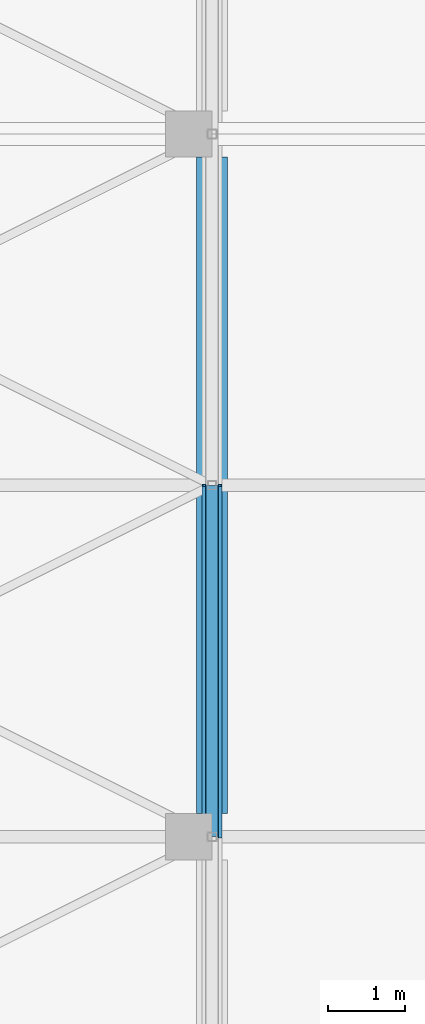
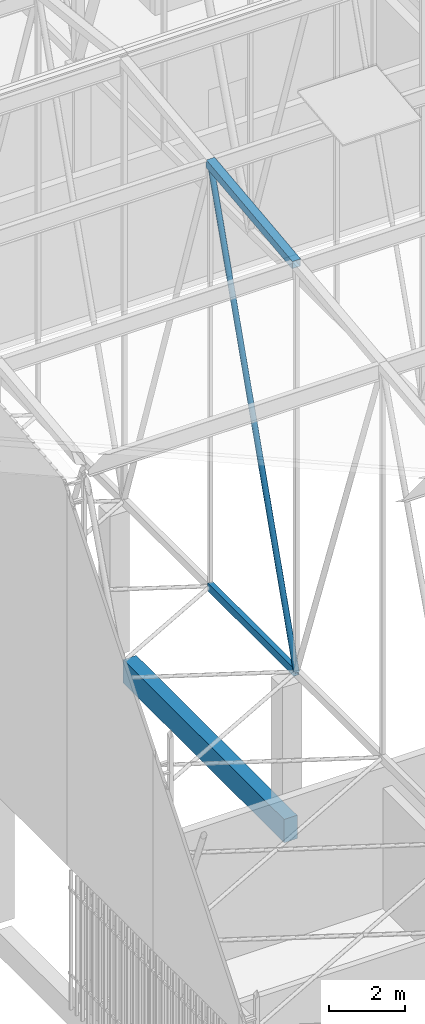
# One storey, part 69 of 500: 3 members, 1 beam.
"""IFC4 building model written with IfcOpenShell, lengths in metres."""

import ifcopenshell
import ifcopenshell.guid

model = None  # the IFC model being written
_history = None  # IfcOwnerHistory: only IFC2X3 demands one
_inside = {}  # id of a spatial element -> (the spatial element, [elements in it])
_under = {}  # id of a project, library or spatial element -> (it, [spatial elements below it])
_declared = {}  # id of a project -> (the project, [libraries it declares])
_typed = {}  # id of a type object -> (the type object, [elements of that type])
_made_of = {}  # id of a material, layer set ... -> (it, [elements and type objects made of it])


def new_model(schema):
    """Start an empty IFC model of exactly this schema.

    Asked for "IFC4X3", IfcOpenShell would pick the latest addendum, in which some entities
    have other attributes; the version numbers below select the first issue.
    IFC2X3 requires an IfcOwnerHistory on every rooted entity: one is made here for all.
    """
    global model, _history
    if schema == "IFC4X3":
        model = ifcopenshell.file(schema_version=(4, 3, 0, 0))
    else:
        model = ifcopenshell.file(schema=schema)
    _inside.clear()
    _under.clear()
    _declared.clear()
    _typed.clear()
    _made_of.clear()
    _history = None
    if model.schema == "IFC2X3":
        org = make("IfcOrganization", Name="unknown")
        user = make(
            "IfcPersonAndOrganization",
            ThePerson=make("IfcPerson", FamilyName="unknown"),
            TheOrganization=org,
        )
        app = make(
            "IfcApplication",
            ApplicationDeveloper=org,
            Version="unknown",
            ApplicationFullName="unknown",
            ApplicationIdentifier="unknown",
        )
        _history = make(
            "IfcOwnerHistory",
            OwningUser=user,
            OwningApplication=app,
            ChangeAction="ADDED",
            CreationDate=0,
        )
    return model


def make(cls, **values):
    """One entity of the class cls with the attributes given. An attribute that is None is left unset."""
    return model.create_entity(
        cls, **{name: value for name, value in values.items() if value is not None}
    )


def rooted(cls, **values):
    """An entity with a GlobalId (a new one), such as an element, a storey or a relation."""
    return make(cls, GlobalId=ifcopenshell.guid.new(), OwnerHistory=_history, **values)


def si_unit(unit_type, name, prefix=None):
    """IfcSIUnit, for example si_unit("LENGTHUNIT", "METRE", prefix="MILLI")."""
    return make("IfcSIUnit", UnitType=unit_type, Prefix=prefix, Name=name)


def assignment(units):
    """IfcUnitAssignment: the units of a project."""
    return None if units is None else make("IfcUnitAssignment", Units=units)


def point(xyz):
    """IfcCartesianPoint."""
    return None if xyz is None else make("IfcCartesianPoint", Coordinates=xyz)


def direction(xyz):
    """IfcDirection."""
    return None if xyz is None else make("IfcDirection", DirectionRatios=xyz)


def frame(location, z_axis=None, x_axis=None):
    """IfcAxis2Placement3D, a coordinate frame: its origin and axes. An axis left out is left unset."""
    return make(
        "IfcAxis2Placement3D",
        Location=point(location),
        Axis=direction(z_axis),
        RefDirection=direction(x_axis),
    )


def frame_2d(location, x_axis=None):
    """IfcAxis2Placement2D, a coordinate frame in the plane: its origin and x axis."""
    return make(
        "IfcAxis2Placement2D", Location=point(location), RefDirection=direction(x_axis)
    )


def origin():
    """The frame at (0, 0, 0) with its axes left unset."""
    return frame((0.0, 0.0, 0.0))


def origin_2d():
    """The frame at (0, 0) in the plane with its x axis left unset."""
    return frame_2d((0.0, 0.0))


def place(relative_to, where):
    """IfcLocalPlacement: puts the frame where relative to a parent placement (None: the world)."""
    return make(
        "IfcLocalPlacement", PlacementRelTo=relative_to, RelativePlacement=where
    )


def context(
    kind, dimensions, precision=None, world=None, true_north=None, identifier=None
):
    """IfcGeometricRepresentationContext, for example the 3D "Model" context."""
    return make(
        "IfcGeometricRepresentationContext",
        ContextIdentifier=identifier,
        ContextType=kind,
        CoordinateSpaceDimension=dimensions,
        Precision=precision,
        WorldCoordinateSystem=world,
        TrueNorth=true_north,
    )


def subcontext(parent, identifier, kind, view, scale=None):
    """IfcGeometricRepresentationSubContext, for example "Body" below "Model"."""
    return make(
        "IfcGeometricRepresentationSubContext",
        ContextIdentifier=identifier,
        ContextType=kind,
        ParentContext=parent,
        TargetScale=scale,
        TargetView=view,
    )


def project(units=None, contexts=None):
    """IfcProject with its units and contexts."""
    return rooted(
        "IfcProject",
        Name="project",
        RepresentationContexts=contexts,
        UnitsInContext=assignment(units),
    )


def spatial(cls, under=None, at=None, **own):
    """A site, building, storey or space (cls), placed at a placement, below another one or the project."""
    s = rooted(cls, ObjectPlacement=at, **own)
    if under is not None:
        _under.setdefault(under.id(), (under, []))[1].append(s)
    return s


def profile(cls, at=None, kind="AREA", **sizes):
    """A parametric profile (cls). Its sizes go by their IFC names, for example OverallWidth=200.0."""
    return make(cls, ProfileType=kind, Position=at, **sizes)


def rectangle(**sizes):
    """IfcRectangleProfileDef."""
    return profile("IfcRectangleProfileDef", **sizes)


def hollow_rectangle(**sizes):
    """IfcRectangleHollowProfileDef."""
    return profile("IfcRectangleHollowProfileDef", **sizes)


def hollow_circle(**sizes):
    """IfcCircleHollowProfileDef."""
    return profile("IfcCircleHollowProfileDef", **sizes)


def extrude(swept, where, along, depth):
    """IfcExtrudedAreaSolid: the profile swept, set in the frame where, extruded along a direction by depth."""
    return make(
        "IfcExtrudedAreaSolid",
        SweptArea=swept,
        Position=where,
        ExtrudedDirection=direction(along),
        Depth=depth,
    )


def shape(context_of_items, identifier, shape_type, items):
    """IfcShapeRepresentation: the items that make up one representation, for example the "Body"."""
    return make(
        "IfcShapeRepresentation",
        ContextOfItems=context_of_items,
        RepresentationIdentifier=identifier,
        RepresentationType=shape_type,
        Items=items,
    )


def material(Name=None, Category=None):
    """IfcMaterial."""
    return make("IfcMaterial", Name=Name, Category=Category)


def material_profile(
    of_material, cross_section, Name=None, Category=None, Priority=None
):
    """IfcMaterialProfile: a cross section and its material."""
    return make(
        "IfcMaterialProfile",
        Name=Name,
        Material=of_material,
        Profile=cross_section,
        Priority=Priority,
        Category=Category,
    )


def profile_set(profiles, Name=None, composite=None):
    """IfcMaterialProfileSet."""
    return make(
        "IfcMaterialProfileSet",
        Name=Name,
        MaterialProfiles=profiles,
        CompositeProfile=composite,
    )


def made_of(thing, what):
    """Note that an element or type object is made of a material, layer set ...; save() writes the relation."""
    if what is not None:
        _made_of.setdefault(what.id(), (what, []))[1].append(thing)
    return thing


def type_object(cls, material=None, **own):
    """A type object (cls), such as IfcWallType, which elements share."""
    return made_of(rooted(cls, **own), material)


def element(
    cls,
    number,
    at=None,
    inside=None,
    cuts=None,
    type_object=None,
    material=None,
    context=None,
    identifier="Body",
    shape_type=None,
    held_by="IfcProductDefinitionShape",
    body=None,
    shapes=None,
    **own,
):
    """One element of the class cls, such as IfcWall. Its Tag is "e" and its number.

    at: its placement. inside: the storey or other place that contains it. cuts: it is an
    opening in that element (IfcRelVoidsElement). A single representation is given by context,
    identifier, shape_type and body (its items); several are given by shapes. held_by: the class
    of the entity that holds the representations. save() writes the other relations.
    """
    e = rooted(cls, Tag="e%d" % number, ObjectPlacement=at, **own)
    if body is not None:
        shapes = [shape(context, identifier, shape_type, body)]
    if shapes is not None:
        e.Representation = make(held_by, Representations=shapes)
    if inside is not None:
        _inside.setdefault(inside.id(), (inside, []))[1].append(e)
    if cuts is not None:
        rooted(
            "IfcRelVoidsElement", RelatingBuildingElement=cuts, RelatedOpeningElement=e
        )
    if type_object is not None:
        _typed.setdefault(type_object.id(), (type_object, []))[1].append(e)
    return made_of(e, material)


def aggregate(whole, parts):
    """IfcRelAggregates: a whole, such as a stair, and the parts it consists of."""
    return rooted("IfcRelAggregates", RelatingObject=whole, RelatedObjects=parts)


def save(model, path):
    """Write the relations noted so far, then the file.

    IfcRelAggregates (storeys below a building ...), IfcRelContainedInSpatialStructure (elements
    in a storey), IfcRelDefinesByType, IfcRelAssociatesMaterial and IfcRelDeclares: one each for
    every whole, place, type object, material and project.
    """
    for whole, parts in _under.values():
        aggregate(whole, parts)
    for where, things in _inside.values():
        rooted(
            "IfcRelContainedInSpatialStructure",
            RelatedElements=things,
            RelatingStructure=where,
        )
    for kind, things in _typed.values():
        rooted("IfcRelDefinesByType", RelatedObjects=things, RelatingType=kind)
    for what, things in _made_of.values():
        rooted("IfcRelAssociatesMaterial", RelatedObjects=things, RelatingMaterial=what)
    for by, libraries in _declared.values():
        rooted("IfcRelDeclares", RelatingContext=by, RelatedDefinitions=libraries)
    model.write(path)


model = new_model("IFC4")

# Units and contexts
model_context = context("Model", 3, precision=1e-05, world=origin(), true_north=direction((0.0, 1.0)))
body_context = subcontext(model_context, "Body", "Model", "MODEL_VIEW")
ifc_project = project(units=[si_unit("LENGTHUNIT", "METRE"), si_unit("AREAUNIT", "SQUARE_METRE"), si_unit("VOLUMEUNIT", "CUBIC_METRE"), si_unit("PLANEANGLEUNIT", "RADIAN"), si_unit("MASSUNIT", "GRAM", prefix="KILO")], contexts=[model_context])

# Site, building, storey
site_placement = place(None, origin())
site = spatial("IfcSite", under=ifc_project, at=site_placement, CompositionType="ELEMENT")
building_placement = place(site_placement, origin())
building = spatial("IfcBuilding", under=site, at=building_placement, Name="Shirokan Park Arena", CompositionType="ELEMENT")
storey_placement = place(building_placement, frame((0.0, 0.0, 29.1201171875)))
storey = spatial("IfcBuildingStorey", under=building, at=storey_placement, Name="L06", CompositionType="ELEMENT", Elevation=29.1201171875)

# Member
ifc_material_1 = material(Name="Steel ASTM A500 Grade C", Category="steel")
ifc_material_profile_1 = material_profile(ifc_material_1, hollow_rectangle(XDim=0.152099609375, YDim=0.25390625, WallThickness=0.009521484375, at=origin_2d()), Name="HSS254X152.4X9.5")
ifc_profile_set_1 = profile_set([ifc_material_profile_1], Name="Steel ASTM A500 Grade C")
member_type_1 = type_object("IfcMemberType", Name="Bottom chord HSS254X152.4X9.5", PredefinedType="CHORD", material=ifc_profile_set_1)
member_1_placement = place(storey_placement, frame((9.10009765625, 45.5, 4.677001953125), z_axis=(0.0, 1.0, 0.0), x_axis=(-1.0, 0.0, 0.0)))
element("IfcMember", 1, at=member_1_placement, inside=storey, type_object=member_type_1, Name="Truss T02 bottom chord 13", PredefinedType="CHORD", context=body_context, shape_type="SweptSolid", body=[
    extrude(hollow_rectangle(XDim=0.152099609375, YDim=0.25390625, WallThickness=0.009521484375, at=origin_2d()), origin(), (0.0, 0.0, 1.0), 4.550048828125),
])

# Beam
ifc_material_2 = material(Name="Concrete C35", Category="concrete")
ifc_material_profile_2 = material_profile(ifc_material_2, rectangle(XDim=0.39990234375, YDim=0.75, at=origin_2d()), Name="400x750")
ifc_profile_set_2 = profile_set([ifc_material_profile_2], Name="Concrete C35")
beam_type = type_object("IfcBeamType", Name="RC girder 400x750", PredefinedType="BEAM", material=ifc_profile_set_2)
beam_placement = place(storey_placement, frame((9.10009765625, 45.800048828125, -0.5751953125), z_axis=(0.0, 1.0, 0.0), x_axis=(-1.0, 0.0, 0.0)))
element("IfcBeam", 2, at=beam_placement, inside=storey, type_object=beam_type, Name="Girder 2F-2G L06", PredefinedType="BEAM", context=body_context, shape_type="SweptSolid", body=[
    extrude(rectangle(XDim=0.39990234375, YDim=0.75, at=origin_2d()), origin(), (0.0, 0.0, 1.0), 8.499755859375),
])

# Members
ifc_material_profile_3 = material_profile(ifc_material_1, hollow_rectangle(XDim=0.25390625, YDim=0.25390625, WallThickness=0.009521484375, at=origin_2d()), Name="HSS254X254X9.5")
ifc_profile_set_3 = profile_set([ifc_material_profile_3], Name="Steel ASTM A500 Grade C")
member_type_2 = type_object("IfcMemberType", Name="Top chord HSS254X254X9.5", PredefinedType="CHORD", material=ifc_profile_set_3)
member_2_placement = place(storey_placement, frame((9.10009765625, 45.5, 17.822998046875), z_axis=(0.0, 0.993538341779, 0.113496975353), x_axis=(-1.0, 0.0, 0.0)))
element("IfcMember", 3, at=member_2_placement, inside=storey, type_object=member_type_2, Name="Truss T02 top chord 13", PredefinedType="CHORD", context=body_context, shape_type="SweptSolid", body=[
    extrude(hollow_rectangle(XDim=0.25390625, YDim=0.25390625, WallThickness=0.009521484375, at=origin_2d()), origin(), (0.0, 0.0, 1.0), 4.57958984375),
])
ifc_material_profile_4 = material_profile(ifc_material_1, hollow_circle(Radius=0.083984375, WallThickness=0.009521484375, at=origin_2d()), Name="HSS168.3X9.5")
ifc_profile_set_4 = profile_set([ifc_material_profile_4], Name="Steel ASTM A500 Grade C")
member_type_3 = type_object("IfcMemberType", Name="Truss diagonal HSS168.3X9.5", PredefinedType="BRACE", material=ifc_profile_set_4)
member_3_placement = place(storey_placement, frame((9.10009765625, 45.5, 4.677001953125), z_axis=(0.0, 0.315902302102, 0.948791723998), x_axis=(-1.0, 0.0, 0.0)))
element("IfcMember", 4, at=member_3_placement, inside=storey, type_object=member_type_3, Name="Truss T02 diagonal 13", PredefinedType="BRACE", context=body_context, shape_type="SweptSolid", body=[
    extrude(hollow_circle(Radius=0.083984375, WallThickness=0.009521484375, at=origin_2d()), origin(), (0.0, 0.0, 1.0), 14.4033203125),
])

save(model, "model.ifc")
